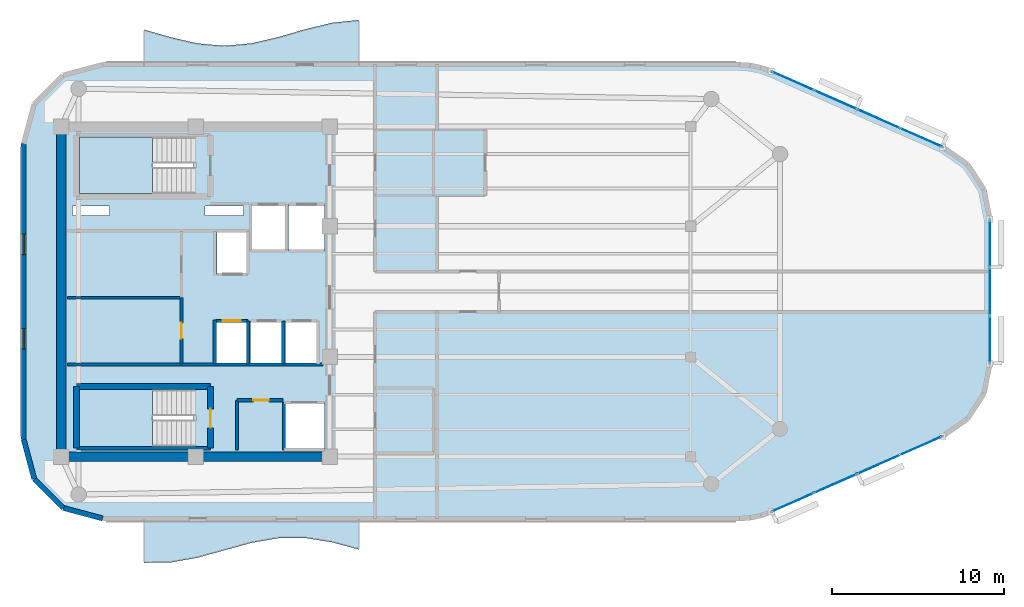
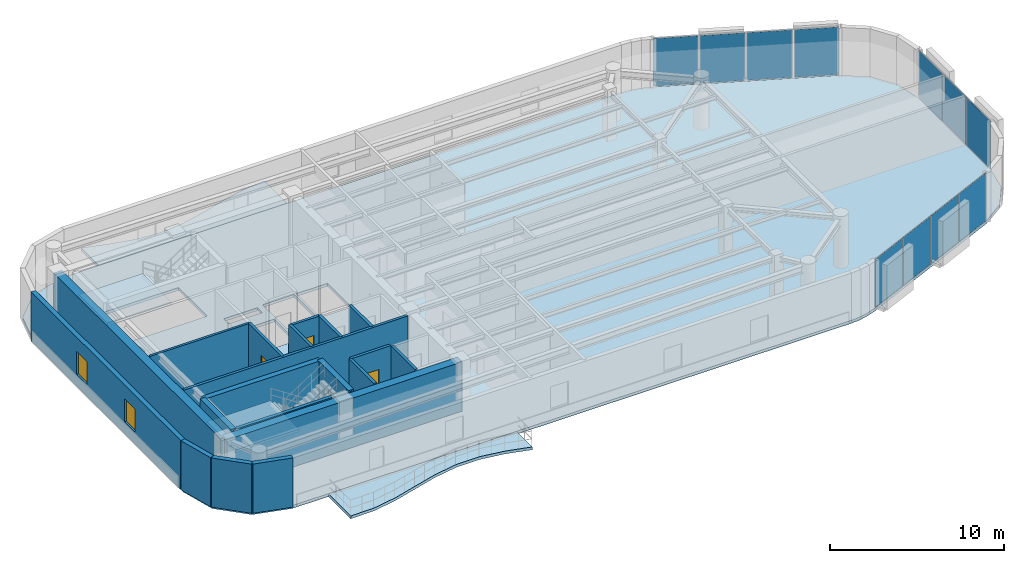
# One storey, part 7 of 12: 20 walls, 11 plates, 5 slabs, 4 doors, 2 windows, 6 openings, 5 elements without a shape of their own.
"""IFC4 building model written with IfcOpenShell, lengths in metres."""

from ifc_helpers import new_model, si_unit, direction, frame, frame_2d, origin, origin_2d, place, context, subcontext, project, spatial, polyline, rectangle, outline, extrude, material, layer, layer_set, type_object, element, fill, aggregate, save


model = new_model("IFC4")

# Units and contexts
model_context = context("Model", 3, precision=1e-05, world=origin(), true_north=direction((0.0, 1.0)))
body_context = subcontext(model_context, "Body", "Model", "MODEL_VIEW")
ifc_project = project(units=[si_unit("LENGTHUNIT", "METRE"), si_unit("AREAUNIT", "SQUARE_METRE"), si_unit("VOLUMEUNIT", "CUBIC_METRE"), si_unit("PLANEANGLEUNIT", "RADIAN"), si_unit("MASSUNIT", "GRAM", prefix="KILO")], contexts=[model_context])

# Site, building, storey
site_placement = place(None, origin())
site = spatial("IfcSite", under=ifc_project, at=site_placement, CompositionType="ELEMENT")
building_placement = place(site_placement, origin())
building = spatial("IfcBuilding", under=site, at=building_placement, Name="An Khanh Terracotta Commons", CompositionType="ELEMENT")
storey_placement = place(building_placement, frame((0.0, 0.0, 273.39990234375)))
storey = spatial("IfcBuildingStorey", under=building, at=storey_placement, Name="L71", CompositionType="ELEMENT", Elevation=273.39990234375)

# Curtain wall, plates
ifc_material_1 = material(Name="Anodised Aluminium 6063-T6", Category="aluminium")
ifc_layer_1 = layer(ifc_material_1, 0.2099609375, Name="Anodised Aluminium 6063-T6")
ifc_layer_set_1 = layer_set([ifc_layer_1], Name="Anodised Aluminium 6063-T6")
curtain_wall_type = type_object("IfcCurtainWallType", Name="CW-SYS-03", PredefinedType="USERDEFINED", material=ifc_layer_set_1)
curtain_wall_1_placement = place(storey_placement, origin())
curtain_wall_1 = element("IfcCurtainWall", 1, at=curtain_wall_1_placement, inside=storey, type_object=curtain_wall_type, Name="L71 CW-03 Unitised Curtain Wall CW-L71-08", ObjectType="UNITISED CURTAIN WALL", PredefinedType="USERDEFINED")
ifc_material_2 = material(Name="Acoustic Laminated Low-E Glazing", Category="glass")
ifc_layer_2 = layer(ifc_material_2, 0.035888671875, Name="Acoustic Laminated Low-E Glazing")
ifc_layer_set_2 = layer_set([ifc_layer_2], Name="Acoustic Laminated Low-E Glazing")
plate_type = type_object("IfcPlateType", Name="CWP-IGU-36", PredefinedType="CURTAIN_PANEL", material=ifc_layer_set_2)
plate_1_placement = place(storey_placement, frame((64.149169921875, 11.748046875, 0.050048828125), z_axis=(0.0, 0.0, 1.0), x_axis=(0.914901853201, 0.403676354285, 0.0)))
plate_1 = element("IfcPlate", 2, at=plate_1_placement, type_object=plate_type, Name="CW-03 panel 1.1", PredefinedType="CURTAIN_PANEL", context=body_context, shape_type="SweptSolid", body=[
    extrude(rectangle(XDim=2.619384765625, YDim=0.035888671875, at=origin_2d()), origin(), (0.0, 0.0, 1.0), 3.35009765625),
])
plate_2_placement = place(storey_placement, frame((66.625732421875, 12.840576171875, 0.050048828125), z_axis=(0.0, 0.0, 1.0), x_axis=(0.914901853201, 0.403676354285, 0.0)))
plate_2 = element("IfcPlate", 3, at=plate_2_placement, type_object=plate_type, Name="CW-03 panel 2.1", PredefinedType="CURTAIN_PANEL", context=body_context, shape_type="SweptSolid", body=[
    extrude(rectangle(XDim=2.654296875, YDim=0.035888671875, at=origin_2d()), origin(), (0.0, 0.0, 1.0), 3.35009765625),
])
plate_3_placement = place(storey_placement, frame((69.1181640625, 13.9404296875, 0.050048828125), z_axis=(0.0, 0.0, 1.0), x_axis=(0.914901853201, 0.403676354285, 0.0)))
plate_3 = element("IfcPlate", 4, at=plate_3_placement, type_object=plate_type, Name="CW-03 panel 3.1", PredefinedType="CURTAIN_PANEL", context=body_context, shape_type="SweptSolid", body=[
    extrude(rectangle(XDim=2.654296875, YDim=0.035888671875, at=origin_2d()), origin(), (0.0, 0.0, 1.0), 3.35009765625),
])
plate_4_placement = place(storey_placement, frame((71.5947265625, 15.032958984375, 0.050048828125), z_axis=(0.0, 0.0, 1.0), x_axis=(0.914901853201, 0.403676354285, 0.0)))
plate_4 = element("IfcPlate", 5, at=plate_4_placement, type_object=plate_type, Name="CW-03 panel 4.1", PredefinedType="CURTAIN_PANEL", context=body_context, shape_type="SweptSolid", body=[
    extrude(rectangle(XDim=2.619384765625, YDim=0.035888671875, at=origin_2d()), origin(), (0.0, 0.0, 1.0), 3.35009765625),
])
aggregate(curtain_wall_1, [plate_1, plate_2, plate_3, plate_4])

curtain_wall_2_placement = place(storey_placement, origin())
curtain_wall_2 = element("IfcCurtainWall", 6, at=curtain_wall_2_placement, inside=storey, type_object=curtain_wall_type, Name="L71 CW-03 Unitised Curtain Wall CW-L71-12", ObjectType="UNITISED CURTAIN WALL", PredefinedType="USERDEFINED")
plate_5_placement = place(storey_placement, frame((75.60009765625, 21.216064453125, 0.050048828125), z_axis=(0.0, 0.0, 1.0), x_axis=(0.0, 1.0, 0.0)))
plate_5 = element("IfcPlate", 7, at=plate_5_placement, type_object=plate_type, Name="CW-03 panel 1.1", PredefinedType="CURTAIN_PANEL", context=body_context, shape_type="SweptSolid", body=[
    extrude(rectangle(XDim=2.6962890625, YDim=0.035888671875, at=origin_2d()), origin(), (0.0, 0.0, 1.0), 3.35009765625),
])
plate_6_placement = place(storey_placement, frame((75.60009765625, 24.0, 0.050048828125), z_axis=(0.0, 0.0, 1.0), x_axis=(0.0, 1.0, 0.0)))
plate_6 = element("IfcPlate", 8, at=plate_6_placement, type_object=plate_type, Name="CW-03 panel 2.1", PredefinedType="CURTAIN_PANEL", context=body_context, shape_type="SweptSolid", body=[
    extrude(rectangle(XDim=2.7314453125, YDim=0.035888671875, at=origin_2d()), origin(), (0.0, 0.0, 1.0), 3.35009765625),
])
plate_7_placement = place(storey_placement, frame((75.60009765625, 26.783935546875, 0.050048828125), z_axis=(0.0, 0.0, 1.0), x_axis=(0.0, 1.0, 0.0)))
plate_7 = element("IfcPlate", 9, at=plate_7_placement, type_object=plate_type, Name="CW-03 panel 3.1", PredefinedType="CURTAIN_PANEL", context=body_context, shape_type="SweptSolid", body=[
    extrude(rectangle(XDim=2.6962890625, YDim=0.035888671875, at=origin_2d()), origin(), (0.0, 0.0, 1.0), 3.35009765625),
])
aggregate(curtain_wall_2, [plate_5, plate_6, plate_7])

curtain_wall_3_placement = place(storey_placement, origin())
curtain_wall_3 = element("IfcCurtainWall", 10, at=curtain_wall_3_placement, inside=storey, type_object=curtain_wall_type, Name="L71 CW-03 Unitised Curtain Wall CW-L71-16", ObjectType="UNITISED CURTAIN WALL", PredefinedType="USERDEFINED")
plate_8_placement = place(storey_placement, frame((71.5947265625, 32.967041015625, 0.050048828125), z_axis=(0.0, 0.0, 1.0), x_axis=(-0.914901853201, 0.403676354285, 0.0)))
plate_8 = element("IfcPlate", 11, at=plate_8_placement, type_object=plate_type, Name="CW-03 panel 1.1", PredefinedType="CURTAIN_PANEL", context=body_context, shape_type="SweptSolid", body=[
    extrude(rectangle(XDim=2.619384765625, YDim=0.035888671875, at=origin_2d()), origin(), (0.0, 0.0, 1.0), 3.35009765625),
])
plate_9_placement = place(storey_placement, frame((69.1181640625, 34.0595703125, 0.050048828125), z_axis=(0.0, 0.0, 1.0), x_axis=(-0.914901853201, 0.403676354285, 0.0)))
plate_9 = element("IfcPlate", 12, at=plate_9_placement, type_object=plate_type, Name="CW-03 panel 2.1", PredefinedType="CURTAIN_PANEL", context=body_context, shape_type="SweptSolid", body=[
    extrude(rectangle(XDim=2.654296875, YDim=0.035888671875, at=origin_2d()), origin(), (0.0, 0.0, 1.0), 3.35009765625),
])
plate_10_placement = place(storey_placement, frame((66.625732421875, 35.159423828125, 0.050048828125), z_axis=(0.0, 0.0, 1.0), x_axis=(-0.914901853201, 0.403676354285, 0.0)))
plate_10 = element("IfcPlate", 13, at=plate_10_placement, type_object=plate_type, Name="CW-03 panel 3.1", PredefinedType="CURTAIN_PANEL", context=body_context, shape_type="SweptSolid", body=[
    extrude(rectangle(XDim=2.654296875, YDim=0.035888671875, at=origin_2d()), origin(), (0.0, 0.0, 1.0), 3.35009765625),
])
plate_11_placement = place(storey_placement, frame((64.149169921875, 36.251953125, 0.050048828125), z_axis=(0.0, 0.0, 1.0), x_axis=(-0.914901853201, 0.403676354285, 0.0)))
plate_11 = element("IfcPlate", 14, at=plate_11_placement, type_object=plate_type, Name="CW-03 panel 4.1", PredefinedType="CURTAIN_PANEL", context=body_context, shape_type="SweptSolid", body=[
    extrude(rectangle(XDim=2.619384765625, YDim=0.035888671875, at=origin_2d()), origin(), (0.0, 0.0, 1.0), 3.35009765625),
])
aggregate(curtain_wall_3, [plate_8, plate_9, plate_10, plate_11])

# Slabs
ifc_material_3 = material(Name="Concrete C40/50", Category="concrete")
ifc_layer_3 = layer(ifc_material_3, 0.199951171875, Name="Concrete C40/50")
ifc_layer_set_3 = layer_set([ifc_layer_3], Name="Concrete C40/50")
slab_type_1 = type_object("IfcSlabType", Name="SLAB-BALC-200", PredefinedType="FLOOR", material=ifc_layer_set_3)
slab_1_placement = place(storey_placement, frame((0.0, 0.0, -0.199951171875)))
element("IfcSlab", 15, at=slab_1_placement, inside=storey, type_object=slab_type_1, Name="L71 S Sinusoidal Wave Balcony Slab", PredefinedType="FLOOR", context=body_context, shape_type="SweptSolid", body=[
    extrude(outline(polyline([(26.39990234375, 10.800048828125), (26.39990234375, 8.22607421875), (27.9619140625, 8.24609375), (29.52490234375, 8.52294921875), (31.0869140625, 8.9560546875), (32.64990234375, 9.386962890625), (34.2119140625, 9.657958984375), (35.77490234375, 9.6708984375), (37.3369140625, 9.4208984375), (38.89990234375, 8.9990234375), (38.89990234375, 10.800048828125), (26.39990234375, 10.800048828125)])), origin(), (0.0, 0.0, 1.0), 0.199951171875),
])
slab_2_placement = place(storey_placement, frame((0.0, 0.0, -0.199951171875)))
element("IfcSlab", 16, at=slab_2_placement, inside=storey, type_object=slab_type_1, Name="L71 N Sinusoidal Wave Balcony Slab", PredefinedType="FLOOR", context=body_context, shape_type="SweptSolid", body=[
    extrude(outline(polyline([(38.89990234375, 37.199951171875), (38.89990234375, 39.798095703125), (37.3369140625, 39.634033203125), (35.77490234375, 39.256103515625), (34.2119140625, 38.802978515625), (32.64990234375, 38.43994140625), (31.0869140625, 38.300048828125), (29.52490234375, 38.43310546875), (27.9619140625, 38.7919921875), (26.39990234375, 39.243896484375), (26.39990234375, 37.199951171875), (38.89990234375, 37.199951171875)])), origin(), (0.0, 0.0, 1.0), 0.199951171875),
])

# Stair, slab
ifc_material_4 = material(Name="Precast concrete C40/50", Category="concrete")
stair_type = type_object("IfcStairType", Name="STAIR-CORE-1550", PredefinedType="HALF_TURN_STAIR", material=ifc_material_4)
stair_1_placement = place(storey_placement, origin())
stair_1 = element("IfcStair", 17, at=stair_1_placement, inside=storey, type_object=stair_type, Name="L71 Core Smokeproof Exit Stair ST-01", PredefinedType="HALF_TURN_STAIR")
ifc_layer_4 = layer(ifc_material_3, 0.18994140625, Name="Concrete C40/50")
ifc_layer_set_4 = layer_set([ifc_layer_4], Name="Concrete C40/50")
slab_type_2 = type_object("IfcSlabType", Name="SLAB-LANDING-190", PredefinedType="LANDING", material=ifc_layer_set_4)
slab_3_placement = place(storey_placement, frame((0.0, 0.0, 1.625)))
slab_3 = element("IfcSlab", 18, at=slab_3_placement, type_object=slab_type_2, Name="ST-01 landing 1", PredefinedType="LANDING", context=body_context, shape_type="SweptSolid", body=[
    extrude(outline(polyline([(26.889892578125, 33.0), (22.64990234375, 33.0), (22.64990234375, 29.699951171875), (26.889892578125, 29.699951171875), (26.889892578125, 33.0)])), origin(), (0.0, 0.0, 1.0), 0.2001953125),
])
aggregate(stair_1, [slab_3])

stair_2_placement = place(storey_placement, origin())
stair_2 = element("IfcStair", 19, at=stair_2_placement, inside=storey, type_object=stair_type, Name="L71 Core Smokeproof Exit Stair ST-02", PredefinedType="HALF_TURN_STAIR")
slab_4_placement = place(storey_placement, frame((0.0, 0.0, 1.625)))
slab_4 = element("IfcSlab", 20, at=slab_4_placement, type_object=slab_type_2, Name="ST-02 landing 1", PredefinedType="LANDING", context=body_context, shape_type="SweptSolid", body=[
    extrude(outline(polyline([(26.889892578125, 18.300048828125), (22.64990234375, 18.300048828125), (22.64990234375, 15.0), (26.889892578125, 15.0), (26.889892578125, 18.300048828125)])), origin(), (0.0, 0.0, 1.0), 0.2001953125),
])
aggregate(stair_2, [slab_4])

# Slab
ifc_layer_5 = layer(ifc_material_3, 0.199951171875, Name="Concrete C40/50")
ifc_layer_set_5 = layer_set([ifc_layer_5], Name="Concrete C40/50")
slab_type_3 = type_object("IfcSlabType", Name="SLAB-TYP-200", PredefinedType="FLOOR", material=ifc_layer_set_5)
slab_5_placement = place(storey_placement, frame((0.0, 0.0, -0.199951171875)))
element("IfcSlab", 21, at=slab_5_placement, inside=storey, type_object=slab_type_3, Name="L71 Structural Floor Slab", PredefinedType="FLOOR", context=body_context, shape_type="SweptSolid", body=[
    extrude(outline(polyline([(19.39990234375, 15.39990234375), (20.01611328125, 13.10009765625), (21.699951171875, 11.416015625), (24.0, 10.800048828125), (61.030029296875, 10.800048828125), (61.6650390625, 10.843994140625), (62.2880859375, 10.97509765625), (62.886962890625, 11.19091796875), (72.85693359375, 15.590087890625), (74.302001953125, 16.594970703125), (75.262939453125, 18.070068359375), (75.60009765625, 19.798095703125), (75.60009765625, 28.201904296875), (75.262939453125, 29.929931640625), (74.302001953125, 31.405029296875), (72.85693359375, 32.409912109375), (62.886962890625, 36.80908203125), (62.2880859375, 37.02490234375), (61.6650390625, 37.156005859375), (61.030029296875, 37.199951171875), (24.0, 37.199951171875), (21.699951171875, 36.583984375), (20.01611328125, 34.89990234375), (19.39990234375, 32.60009765625), (19.39990234375, 15.39990234375)]), holes=[polyline([(22.64990234375, 29.699951171875), (29.27001953125, 29.699951171875), (29.27001953125, 33.0), (22.64990234375, 33.0), (22.64990234375, 29.699951171875)]), polyline([(22.64990234375, 15.0), (29.27001953125, 15.0), (29.27001953125, 18.300048828125), (22.64990234375, 18.300048828125), (22.64990234375, 15.0)]), polyline([(32.60009765625, 26.35009765625), (34.679931640625, 26.35009765625), (34.679931640625, 29.080078125), (32.60009765625, 29.080078125), (32.60009765625, 26.35009765625)]), polyline([(34.820068359375, 26.35009765625), (36.89990234375, 26.35009765625), (36.89990234375, 29.080078125), (34.820068359375, 29.080078125), (34.820068359375, 26.35009765625)]), polyline([(34.550048828125, 14.800048828125), (36.89990234375, 14.800048828125), (36.89990234375, 17.550048828125), (34.550048828125, 17.550048828125), (34.550048828125, 14.800048828125)]), polyline([(30.639892578125, 25.0), (32.4599609375, 25.0), (32.4599609375, 27.5), (30.639892578125, 27.5), (30.639892578125, 25.0)]), polyline([(30.56005859375, 19.800048828125), (32.4599609375, 19.800048828125), (32.4599609375, 22.300048828125), (30.56005859375, 22.300048828125), (30.56005859375, 19.800048828125)]), polyline([(32.60009765625, 19.800048828125), (34.5, 19.800048828125), (34.5, 22.300048828125), (32.60009765625, 22.300048828125), (32.60009765625, 19.800048828125)]), polyline([(34.639892578125, 19.800048828125), (36.5400390625, 19.800048828125), (36.5400390625, 22.300048828125), (34.639892578125, 22.300048828125), (34.639892578125, 19.800048828125)]), polyline([(22.25, 28.419921875), (24.39990234375, 28.419921875), (24.39990234375, 28.97998046875), (22.25, 28.97998046875), (22.25, 28.419921875)]), polyline([(29.949951171875, 28.419921875), (32.199951171875, 28.419921875), (32.199951171875, 28.97998046875), (29.949951171875, 28.97998046875), (29.949951171875, 28.419921875)])]), origin(), (0.0, 0.0, 1.0), 0.199951171875),
])

# Walls
ifc_material_5 = material(Name="Concrete C50/60", Category="concrete")
ifc_layer_6 = layer(ifc_material_5, 0.550048828125, Name="Concrete C50/60")
ifc_layer_set_6 = layer_set([ifc_layer_6], Name="Concrete C50/60")
wall_type_1 = type_object("IfcWallType", Name="WALL-CORE-550", PredefinedType="SHEAR", material=ifc_layer_set_6)
wall_1_placement = place(storey_placement, frame((21.60009765625, 14.39990234375, 0.0), z_axis=(0.0, 0.0, 1.0), x_axis=(0.0, 1.0, 0.0)))
element("IfcWall", 22, at=wall_1_placement, inside=storey, type_object=wall_type_1, Name="L71 Core Wall CWALL-L71-W", PredefinedType="SHEAR", context=body_context, shape_type="SweptSolid", body=[
    extrude(rectangle(XDim=19.2001953125, YDim=0.550048828125, at=frame_2d((9.60009765625, 0.0))), origin(), (0.0, 0.0, 1.0), 3.4501953125),
])
wall_2_placement = place(storey_placement, frame((37.199951171875, 14.39990234375, 0.0), z_axis=(0.0, 0.0, 1.0), x_axis=(-1.0, 0.0, 0.0)))
element("IfcWall", 23, at=wall_2_placement, inside=storey, type_object=wall_type_1, Name="L71 Core Wall CWALL-L71-S", PredefinedType="SHEAR", context=body_context, shape_type="SweptSolid", body=[
    extrude(rectangle(XDim=15.599853515625, YDim=0.550048828125, at=frame_2d((7.7998046875, 0.0))), origin(), (0.0, 0.0, 1.0), 3.4501953125),
])
ifc_material_6 = material(Name="Fire-Rated Gypsum Board on Steel Stud", Category="steel")
ifc_layer_7 = layer(ifc_material_6, 0.179931640625, Name="Fire-Rated Gypsum Board on Steel Stud")
ifc_layer_set_7 = layer_set([ifc_layer_7], Name="Fire-Rated Gypsum Board on Steel Stud")
wall_type_2 = type_object("IfcWallType", Name="WALL-CORR-180", PredefinedType="PARTITIONING", material=ifc_layer_set_7)
wall_3_placement = place(storey_placement, frame((21.949951171875, 19.760009765625, 0.0), z_axis=(0.0, 0.0, 1.0), x_axis=(1.0, 0.0, 0.0)))
element("IfcWall", 24, at=wall_3_placement, inside=storey, type_object=wall_type_2, Name="L71 Core Wall SVW-L71-N", PredefinedType="PARTITIONING", context=body_context, shape_type="SweptSolid", body=[
    extrude(rectangle(XDim=14.8701171875, YDim=0.179931640625, at=frame_2d((7.43505859375, 0.0))), origin(), (0.0, 0.0, 1.0), 3.4501953125),
])

# Wall, opening, door
wall_4_placement = place(storey_placement, frame((31.820068359375, 17.679931640625, 0.0), z_axis=(0.0, 0.0, 1.0), x_axis=(1.0, 0.0, 0.0)))
wall_4 = element("IfcWall", 25, at=wall_4_placement, inside=storey, type_object=wall_type_2, Name="L71 Core Wall SSVCW-L71-N", PredefinedType="PARTITIONING", context=body_context, shape_type="SweptSolid", body=[
    extrude(rectangle(XDim=2.659912109375, YDim=0.179931640625, at=frame_2d((1.330078125, 0.0))), origin(), (0.0, 0.0, 1.0), 3.4501953125),
])
opening_1_placement = place(wall_4_placement, frame((0.949951171875, 0.0, 0.0)))
opening_1 = element("IfcOpeningElement", 26, at=opening_1_placement, cuts=wall_4, Name="Opening D-SV", PredefinedType="OPENING", context=body_context, shape_type="SweptSolid", body=[
    extrude(rectangle(XDim=0.89990234375, YDim=2.050048828125, at=frame_2d((0.449951171875, 1.02490234375))), frame((0.0, 0.099853515625, 0.0), z_axis=(0.0, -1.0, 0.0), x_axis=(1.0, 0.0, 0.0)), (0.0, 0.0, 1.0), 0.199951171875),
])
ifc_material_7 = material(Name="Fire-Rated Powder-Coated Steel Door", Category="steel")
door_type_1 = type_object("IfcDoorType", Name="DOOR-SERV-900", OperationType="NOTDEFINED", PredefinedType="DOOR", material=ifc_material_7)
door_1_placement = place(opening_1_placement, origin())
door_1 = element("IfcDoor", 27, at=door_1_placement, inside=storey, type_object=door_type_1, Name="L71 Electrical Switch Cupboard Door", OperationType="SINGLE_SWING_RIGHT", OverallHeight=2.050048828125, OverallWidth=0.89990234375, PredefinedType="DOOR", context=body_context, shape_type="SweptSolid", body=[
    extrude(rectangle(XDim=0.89990234375, YDim=2.050048828125, at=frame_2d((0.449951171875, 1.02490234375))), frame((0.0, 0.02490234375, 0.0), z_axis=(0.0, -1.0, 0.0), x_axis=(1.0, 0.0, 0.0)), (0.0, 0.0, 1.0), 0.050048828125),
])
fill(opening_1, door_1)

# Walls
wall_5_placement = place(storey_placement, frame((31.820068359375, 14.800048828125, 0.0), z_axis=(0.0, 0.0, 1.0), x_axis=(0.0, 1.0, 0.0)))
element("IfcWall", 28, at=wall_5_placement, inside=storey, type_object=wall_type_2, Name="L71 Core Wall SSVCW-L71-W", PredefinedType="PARTITIONING", context=body_context, shape_type="SweptSolid", body=[
    extrude(rectangle(XDim=2.8798828125, YDim=0.179931640625, at=frame_2d((1.43994140625, 0.0))), origin(), (0.0, 0.0, 1.0), 3.4501953125),
])
wall_6_placement = place(storey_placement, frame((34.550048828125, 17.550048828125, 0.0), z_axis=(0.0, 0.0, 1.0), x_axis=(0.0, -1.0, 0.0)))
element("IfcWall", 29, at=wall_6_placement, inside=storey, type_object=wall_type_2, Name="L71 Core Wall LSH-L71-SVL-01-W", PredefinedType="PARTITIONING", context=body_context, shape_type="SweptSolid", body=[
    extrude(rectangle(XDim=2.75, YDim=0.179931640625, at=frame_2d((1.375, 0.0))), origin(), (0.0, 0.0, 1.0), 3.4501953125),
])

# Wall, opening, door
wall_7_placement = place(storey_placement, frame((30.56005859375, 22.300048828125, 0.0), z_axis=(0.0, 0.0, 1.0), x_axis=(1.0, 0.0, 0.0)))
wall_7 = element("IfcWall", 30, at=wall_7_placement, inside=storey, type_object=wall_type_2, Name="L71 Core Wall LSH-L71-PL-H2-N", PredefinedType="PARTITIONING", context=body_context, shape_type="SweptSolid", body=[
    extrude(rectangle(XDim=1.89990234375, YDim=0.179931640625, at=frame_2d((0.949951171875, 0.0))), origin(), (0.0, 0.0, 1.0), 3.4501953125),
])
opening_2_placement = place(wall_7_placement, frame((0.425048828125, 0.0, 0.0)))
opening_2 = element("IfcOpeningElement", 31, at=opening_2_placement, cuts=wall_7, Name="Opening LD-PL-H2-L71", PredefinedType="OPENING", context=body_context, shape_type="SweptSolid", body=[
    extrude(rectangle(XDim=1.050048828125, YDim=2.199951171875, at=frame_2d((0.52490234375, 1.10009765625))), frame((0.0, 0.099853515625, 0.0), z_axis=(0.0, -1.0, 0.0), x_axis=(1.0, 0.0, 0.0)), (0.0, 0.0, 1.0), 0.199951171875),
])
ifc_material_8 = material(Name="Brushed Stainless Steel High-Rise Landing Door", Category="steel")
door_type_2 = type_object("IfcDoorType", Name="DOOR-LD-PAXH-1050", OperationType="NOTDEFINED", PredefinedType="DOOR", material=ifc_material_8)
door_2_placement = place(opening_2_placement, origin())
door_2 = element("IfcDoor", 32, at=door_2_placement, inside=storey, type_object=door_type_2, Name="L71 Lift PL-H2 Sliding Landing Door", OperationType="DOUBLE_DOOR_SLIDING", OverallHeight=2.199951171875, OverallWidth=1.050048828125, PredefinedType="DOOR", context=body_context, shape_type="SweptSolid", body=[
    extrude(rectangle(XDim=1.050048828125, YDim=2.199951171875, at=frame_2d((0.52490234375, 1.10009765625))), frame((0.0, 0.02490234375, 0.0), z_axis=(0.0, -1.0, 0.0), x_axis=(1.0, 0.0, 0.0)), (0.0, 0.0, 1.0), 0.050048828125),
])
fill(opening_2, door_2)

# Walls
for number, where, z_axis, x_axis, name in (
    (33, (32.4599609375, 19.800048828125, 0.0), (0.0, 0.0, 1.0), (0.0, 1.0, 0.0), "L71 Core Wall LSH-L71-PL-H2-E"),
    (34, (34.5, 19.800048828125, 0.0), (0.0, 0.0, 1.0), (0.0, 1.0, 0.0), "L71 Core Wall LSH-L71-PL-H3-E"),
):
    element("IfcWall", number, at=place(storey_placement, frame(where, z_axis=z_axis, x_axis=x_axis)), inside=storey, type_object=wall_type_2, Name=name, PredefinedType="PARTITIONING", context=body_context, shape_type="SweptSolid", body=[
        extrude(rectangle(XDim=2.5, YDim=0.179931640625, at=frame_2d((1.25, 0.0))), origin(), (0.0, 0.0, 1.0), 3.4501953125),
    ])
wall_8_placement = place(storey_placement, frame((30.52001953125, 19.800048828125, 0.0), z_axis=(0.0, 0.0, 1.0), x_axis=(0.0, 1.0, 0.0)))
element("IfcWall", 35, at=wall_8_placement, inside=storey, type_object=wall_type_2, Name="L71 Core Wall RECW-L71-BE2", PredefinedType="PARTITIONING", context=body_context, shape_type="SweptSolid", body=[
    extrude(rectangle(XDim=2.550048828125, YDim=0.179931640625, at=frame_2d((1.27490234375, 0.0))), origin(), (0.0, 0.0, 1.0), 3.4501953125),
])

# Wall, opening, door
wall_9_placement = place(storey_placement, frame((28.580078125, 19.800048828125, 0.0), z_axis=(0.0, 0.0, 1.0), x_axis=(0.0, 1.0, 0.0)))
wall_9 = element("IfcWall", 36, at=wall_9_placement, inside=storey, type_object=wall_type_2, Name="L71 Core Wall RECW-L71-E2", PredefinedType="PARTITIONING", context=body_context, shape_type="SweptSolid", body=[
    extrude(rectangle(XDim=3.849853515625, YDim=0.179931640625, at=frame_2d((1.9248046875, 0.0))), origin(), (0.0, 0.0, 1.0), 3.4501953125),
])
opening_3_placement = place(wall_9_placement, frame((1.465087890625, 0.0, 0.0)))
opening_3 = element("IfcOpeningElement", 37, at=opening_3_placement, cuts=wall_9, Name="Opening D-RM", PredefinedType="OPENING", context=body_context, shape_type="SweptSolid", body=[
    extrude(rectangle(XDim=0.919921875, YDim=2.10009765625, at=frame_2d((0.4599609375, 1.050048828125))), frame((0.0, 0.099853515625, 0.0), z_axis=(0.0, -1.0, 0.0), x_axis=(1.0, 0.0, 0.0)), (0.0, 0.0, 1.0), 0.199951171875),
])
ifc_material_9 = material(Name="Engineered Hardwood Timber Leaf", Category="wood")
door_type_3 = type_object("IfcDoorType", Name="DOOR-INT-920", OperationType="NOTDEFINED", PredefinedType="DOOR", material=ifc_material_9)
door_3_placement = place(opening_3_placement, origin())
door_3 = element("IfcDoor", 38, at=door_3_placement, inside=storey, type_object=door_type_3, Name="L71 Quiet Fellowship Study Room Door", OperationType="SINGLE_SWING_RIGHT", OverallHeight=2.10009765625, OverallWidth=0.919921875, PredefinedType="DOOR", context=body_context, shape_type="SweptSolid", body=[
    extrude(rectangle(XDim=0.919921875, YDim=2.10009765625, at=frame_2d((0.4599609375, 1.050048828125))), frame((0.0, 0.02490234375, 0.0), z_axis=(0.0, -1.0, 0.0), x_axis=(1.0, 0.0, 0.0)), (0.0, 0.0, 1.0), 0.050048828125),
])
fill(opening_3, door_3)

# Walls
ifc_layer_8 = layer(ifc_material_4, 0.300048828125, Name="Precast concrete C40/50")
ifc_layer_set_8 = layer_set([ifc_layer_8], Name="Precast concrete C40/50")
wall_type_3 = type_object("IfcWallType", Name="WALL-EXT-300", PredefinedType="SOLIDWALL", material=ifc_layer_set_8)
wall_10_placement = place(storey_placement, frame((19.39990234375, 15.39990234375, 0.0), z_axis=(0.0, 0.0, 1.0), x_axis=(0.258811258154, -0.965927912762, 0.0)))
element("IfcWall", 39, at=wall_10_placement, inside=storey, type_object=wall_type_3, Name="L71 Insulated Terracotta Exterior Wall 1", PredefinedType="SOLIDWALL", context=body_context, shape_type="SweptSolid", body=[
    extrude(rectangle(XDim=2.380859375, YDim=0.300048828125, at=frame_2d((1.1904296875, 0.0))), origin(), (0.0, 0.0, 1.0), 3.4501953125),
])
wall_11_placement = place(storey_placement, frame((20.01611328125, 13.10009765625, 0.0), z_axis=(0.0, 0.0, 1.0), x_axis=(0.707055521135, -0.707158037522, 0.0)))
element("IfcWall", 40, at=wall_11_placement, inside=storey, type_object=wall_type_3, Name="L71 Insulated Terracotta Exterior Wall 2", PredefinedType="SOLIDWALL", context=body_context, shape_type="SweptSolid", body=[
    extrude(rectangle(XDim=2.381591796875, YDim=0.300048828125, at=frame_2d((1.19091796875, 0.0))), origin(), (0.0, 0.0, 1.0), 3.4501953125),
])
wall_12_placement = place(storey_placement, frame((21.699951171875, 11.416015625, 0.0), z_axis=(0.0, 0.0, 1.0), x_axis=(0.965960405575, -0.25868995895, 0.0)))
element("IfcWall", 41, at=wall_12_placement, inside=storey, type_object=wall_type_3, Name="L71 Insulated Terracotta Exterior Wall 3", PredefinedType="SOLIDWALL", context=body_context, shape_type="SweptSolid", body=[
    extrude(rectangle(XDim=2.381103515625, YDim=0.300048828125, at=frame_2d((1.1904296875, 0.0))), origin(), (0.0, 0.0, 1.0), 3.4501953125),
])

# Wall, openings, windows
wall_13_placement = place(storey_placement, frame((19.39990234375, 32.60009765625, 0.0), z_axis=(0.0, 0.0, 1.0), x_axis=(0.0, -1.0, 0.0)))
wall_13 = element("IfcWall", 42, at=wall_13_placement, inside=storey, type_object=wall_type_3, Name="L71 Insulated Terracotta Exterior Wall 24", PredefinedType="SOLIDWALL", context=body_context, shape_type="SweptSolid", body=[
    extrude(rectangle(XDim=17.2001953125, YDim=0.300048828125, at=frame_2d((8.60009765625, 0.0))), origin(), (0.0, 0.0, 1.0), 3.4501953125),
])
opening_4_placement = place(wall_13_placement, frame((5.25, 0.0, 0.85009765625)))
opening_4 = element("IfcOpeningElement", 43, at=opening_4_placement, cuts=wall_13, Name="Opening W-05", PredefinedType="OPENING", context=body_context, shape_type="SweptSolid", body=[
    extrude(rectangle(XDim=1.199951171875, YDim=1.60009765625, at=frame_2d((0.60009765625, 0.800048828125))), frame((0.0, 0.159912109375, 0.0), z_axis=(0.0, -1.0, 0.0), x_axis=(1.0, 0.0, 0.0)), (0.0, 0.0, 1.0), 0.320068359375),
])
opening_5_placement = place(wall_13_placement, frame((10.75, 0.0, 0.85009765625)))
opening_5 = element("IfcOpeningElement", 44, at=opening_5_placement, cuts=wall_13, Name="Opening W-05", PredefinedType="OPENING", context=body_context, shape_type="SweptSolid", body=[
    extrude(rectangle(XDim=1.199951171875, YDim=1.60009765625, at=frame_2d((0.60009765625, 0.800048828125))), frame((0.0, 0.159912109375, 0.0), z_axis=(0.0, -1.0, 0.0), x_axis=(1.0, 0.0, 0.0)), (0.0, 0.0, 1.0), 0.320068359375),
])
ifc_material_10 = material(Name="Thermally Broken Aluminium and Low-E Glass", Category="aluminium")
window_type = type_object("IfcWindowType", Name="WIN-Z5-1200x1600", PartitioningType="SINGLE_PANEL", PredefinedType="WINDOW", material=ifc_material_10)
window_1_placement = place(opening_4_placement, origin())
window_1 = element("IfcWindow", 45, at=window_1_placement, inside=storey, type_object=window_type, Name="L71 Operable Casement Window 24.1", OverallHeight=1.60009765625, OverallWidth=1.199951171875, PartitioningType="SINGLE_PANEL", PredefinedType="WINDOW", context=body_context, shape_type="SweptSolid", body=[
    extrude(rectangle(XDim=1.199951171875, YDim=1.60009765625, at=frame_2d((0.60009765625, 0.800048828125))), frame((0.0, 0.030029296875, 0.0), z_axis=(0.0, -1.0, 0.0), x_axis=(1.0, 0.0, 0.0)), (0.0, 0.0, 1.0), 0.06005859375),
])
fill(opening_4, window_1)
window_2_placement = place(opening_5_placement, origin())
window_2 = element("IfcWindow", 46, at=window_2_placement, inside=storey, type_object=window_type, Name="L71 Operable Casement Window 24.2", OverallHeight=1.60009765625, OverallWidth=1.199951171875, PartitioningType="SINGLE_PANEL", PredefinedType="WINDOW", context=body_context, shape_type="SweptSolid", body=[
    extrude(rectangle(XDim=1.199951171875, YDim=1.60009765625, at=frame_2d((0.60009765625, 0.800048828125))), frame((0.0, 0.030029296875, 0.0), z_axis=(0.0, -1.0, 0.0), x_axis=(1.0, 0.0, 0.0)), (0.0, 0.0, 1.0), 0.06005859375),
])
fill(opening_5, window_2)

# Walls
ifc_material_11 = material(Name="Acoustic Gypsum Board Partition")
ifc_layer_9 = layer(ifc_material_11, 0.14990234375, Name="Acoustic Gypsum Board Partition")
ifc_layer_set_9 = layer_set([ifc_layer_9], Name="Acoustic Gypsum Board Partition")
wall_type_4 = type_object("IfcWallType", Name="WALL-PART-150", PredefinedType="PARTITIONING", material=ifc_layer_set_9)
wall_14_placement = place(storey_placement, frame((21.949951171875, 23.64990234375, 0.0), z_axis=(0.0, 0.0, 1.0), x_axis=(1.0, 0.0, 0.0)))
element("IfcWall", 47, at=wall_14_placement, inside=storey, type_object=wall_type_4, Name="L71 Core Wall RECW-L71-M", PredefinedType="PARTITIONING", context=body_context, shape_type="SweptSolid", body=[
    extrude(rectangle(XDim=6.630126953125, YDim=0.14990234375, at=frame_2d((3.31494140625, 0.0))), origin(), (0.0, 0.0, 1.0), 3.4501953125),
])
ifc_material_12 = material(Name="Acoustic Double-Stud Gypsum and Mineral Wool")
ifc_layer_10 = layer(ifc_material_12, 0.219970703125, Name="Acoustic Double-Stud Gypsum and Mineral Wool")
ifc_layer_set_10 = layer_set([ifc_layer_10], Name="Acoustic Double-Stud Gypsum and Mineral Wool")
wall_type_5 = type_object("IfcWallType", Name="WALL-PARTY-220", PredefinedType="PARTITIONING", material=ifc_layer_set_10)
wall_15_placement = place(storey_placement, frame((22.47998046875, 14.889892578125, 0.0), z_axis=(0.0, 0.0, 1.0), x_axis=(1.0, 0.0, 0.0)))
element("IfcWall", 48, at=wall_15_placement, inside=storey, type_object=wall_type_5, Name="L71 Core Wall STW-L71-S-S", PredefinedType="PARTITIONING", context=body_context, shape_type="SweptSolid", body=[
    extrude(rectangle(XDim=7.7900390625, YDim=0.219970703125, at=frame_2d((3.89501953125, 0.0))), origin(), (0.0, 0.0, 1.0), 3.4501953125),
])
ifc_layer_11 = layer(ifc_material_5, 0.35009765625, Name="Concrete C50/60")
ifc_layer_set_11 = layer_set([ifc_layer_11], Name="Concrete C50/60")
wall_type_6 = type_object("IfcWallType", Name="WALL-SHAFT-350", PredefinedType="SOLIDWALL", material=ifc_layer_set_11)
wall_16_placement = place(storey_placement, frame((22.47998046875, 18.469970703125, 0.0), z_axis=(0.0, 0.0, 1.0), x_axis=(1.0, 0.0, 0.0)))
element("IfcWall", 49, at=wall_16_placement, inside=storey, type_object=wall_type_6, Name="L71 Core Wall STW-L71-S-N", PredefinedType="SOLIDWALL", context=body_context, shape_type="SweptSolid", body=[
    extrude(rectangle(XDim=7.7900390625, YDim=0.35009765625, at=frame_2d((3.89501953125, 0.0))), origin(), (0.0, 0.0, 1.0), 3.4501953125),
])
wall_17_placement = place(storey_placement, frame((22.47998046875, 14.889892578125, 0.0), z_axis=(0.0, 0.0, 1.0), x_axis=(0.0, 1.0, 0.0)))
element("IfcWall", 50, at=wall_17_placement, inside=storey, type_object=wall_type_6, Name="L71 Core Wall STW-L71-S-W", PredefinedType="SOLIDWALL", context=body_context, shape_type="SweptSolid", body=[
    extrude(rectangle(XDim=3.580078125, YDim=0.35009765625, at=frame_2d((1.7900390625, 0.0))), origin(), (0.0, 0.0, 1.0), 3.4501953125),
])

# Wall, opening, door
wall_18_placement = place(storey_placement, frame((30.27001953125, 14.889892578125, 0.0), z_axis=(0.0, 0.0, 1.0), x_axis=(0.0, 1.0, 0.0)))
wall_18 = element("IfcWall", 51, at=wall_18_placement, inside=storey, type_object=wall_type_6, Name="L71 Core Wall STW-L71-S-E", PredefinedType="SOLIDWALL", context=body_context, shape_type="SweptSolid", body=[
    extrude(rectangle(XDim=3.580078125, YDim=0.35009765625, at=frame_2d((1.7900390625, 0.0))), origin(), (0.0, 0.0, 1.0), 3.4501953125),
])
opening_6_placement = place(wall_18_placement, frame((1.18994140625, 0.0, 0.0)))
opening_6 = element("IfcOpeningElement", 52, at=opening_6_placement, cuts=wall_18, Name="Opening D-ST", PredefinedType="OPENING", context=body_context, shape_type="SweptSolid", body=[
    extrude(rectangle(XDim=1.10009765625, YDim=2.14990234375, at=frame_2d((0.550048828125, 1.074951171875))), frame((0.0, 0.18505859375, 0.0), z_axis=(0.0, -1.0, 0.0), x_axis=(1.0, 0.0, 0.0)), (0.0, 0.0, 1.0), 0.3701171875),
])
ifc_material_13 = material(Name="Fire-Rated Steel Leaf and Frame", Category="steel")
door_type_4 = type_object("IfcDoorType", Name="DOOR-STAIR-1100", OperationType="NOTDEFINED", PredefinedType="DOOR", material=ifc_material_13)
door_4_placement = place(opening_6_placement, origin())
door_4 = element("IfcDoor", 53, at=door_4_placement, inside=storey, type_object=door_type_4, Name="L71 Stair ST-02 Fire Door", OperationType="SINGLE_SWING_LEFT", OverallHeight=2.14990234375, OverallWidth=1.10009765625, PredefinedType="DOOR", context=body_context, shape_type="SweptSolid", body=[
    extrude(rectangle(XDim=1.10009765625, YDim=2.14990234375, at=frame_2d((0.550048828125, 1.074951171875))), frame((0.0, 0.02490234375, 0.0), z_axis=(0.0, -1.0, 0.0), x_axis=(1.0, 0.0, 0.0)), (0.0, 0.0, 1.0), 0.050048828125),
])
fill(opening_6, door_4)

save(model, "model.ifc")
